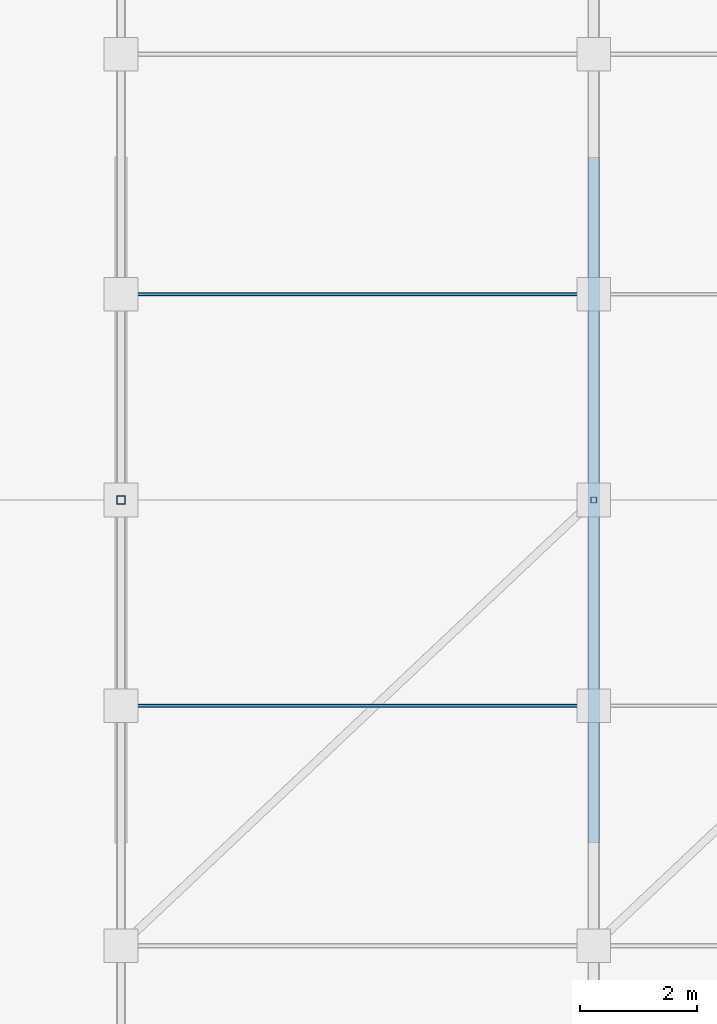
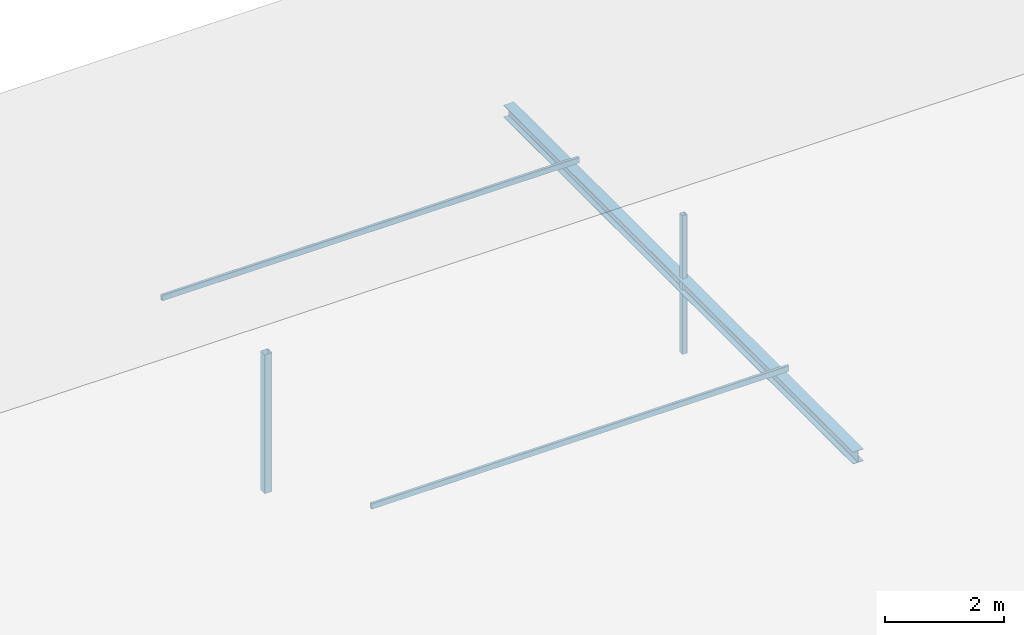
# One storey, part 16 of 54: 5 members.
"""IFC4 building model written with IfcOpenShell, lengths in metres."""

from ifc_helpers import new_model, si_unit, direction, frame, origin, origin_2d, place, context, subcontext, project, spatial, hollow_rectangle, i_section, extrude, material, material_profile, profile_set, type_object, element, save


model = new_model("IFC4")

# Units and contexts
model_context = context("Model", 3, precision=1e-05, world=origin(), true_north=direction((0.0, 1.0)))
body_context = subcontext(model_context, "Body", "Model", "MODEL_VIEW")
ifc_project = project(units=[si_unit("LENGTHUNIT", "METRE"), si_unit("AREAUNIT", "SQUARE_METRE"), si_unit("VOLUMEUNIT", "CUBIC_METRE"), si_unit("PLANEANGLEUNIT", "RADIAN"), si_unit("MASSUNIT", "GRAM", prefix="KILO")], contexts=[model_context])

# Site, building, storey
site_placement = place(None, origin())
site = spatial("IfcSite", under=ifc_project, at=site_placement, CompositionType="ELEMENT")
building_placement = place(site_placement, origin())
building = spatial("IfcBuilding", under=site, at=building_placement, Name="Parian Resonance Hall", CompositionType="ELEMENT")
storey_placement = place(building_placement, frame((0.0, 0.0, 15.0)))
storey = spatial("IfcBuildingStorey", under=building, at=storey_placement, Name="L03", CompositionType="ELEMENT", Elevation=15.0)

# Members
ifc_material_1 = material(Name="Hollow structural steel S355", Category="steel")
ifc_material_profile_1 = material_profile(ifc_material_1, hollow_rectangle(XDim=0.06005859375, YDim=0.1201171875, WallThickness=0.0048828125, InnerFilletRadius=0.0048828125, OuterFilletRadius=0.010009765625, at=origin_2d()), Name="RHS120x60x5")
ifc_profile_set_1 = profile_set([ifc_material_profile_1], Name="Hollow structural steel S355")
member_type_1 = type_object("IfcMemberType", Name="MEM-RHS120", PredefinedType="PURLIN", material=ifc_profile_set_1)
for number, where, z_axis, x_axis, name in (
    (1, (81.0, 8.625, 1.824951171875), (1.0, 0.0, 0.0), (0.0, 1.0, 0.0), "Rehearsal roof purlin S2.1"),
    (2, (81.0, 15.675048828125, 1.824951171875), (1.0, 0.0, 0.0), (0.0, 1.0, 0.0), "Rehearsal roof purlin N2.1"),
):
    element("IfcMember", number, at=place(storey_placement, frame(where, z_axis=z_axis, x_axis=x_axis)), inside=storey, type_object=member_type_1, Name=name, PredefinedType="PURLIN", context=body_context, shape_type="SweptSolid", body=[
        extrude(hollow_rectangle(XDim=0.06005859375, YDim=0.1201171875, WallThickness=0.0048828125, InnerFilletRadius=0.0048828125, OuterFilletRadius=0.010009765625, at=origin_2d()), origin(), (0.0, 0.0, 1.0), 8.10009765625),
    ])
ifc_material_2 = material(Name="Hollow structural steel S355", Category="steel")
ifc_material_profile_2 = material_profile(ifc_material_2, hollow_rectangle(XDim=0.10009765625, YDim=0.10009765625, WallThickness=0.00634765625, InnerFilletRadius=0.00634765625, OuterFilletRadius=0.0126953125, at=origin_2d()), Name="SHS100x100x6.3")
ifc_profile_set_2 = profile_set([ifc_material_profile_2], Name="Hollow structural steel S355")
member_type_2 = type_object("IfcMemberType", Name="MEM-SHS100", PredefinedType="POST", material=ifc_profile_set_2)
member_1_placement = place(storey_placement, frame((89.10009765625, 12.14990234375, 0.0), z_axis=(0.0, 0.0, 1.0), x_axis=(1.0, 0.0, 0.0)))
element("IfcMember", 3, at=member_1_placement, inside=storey, type_object=member_type_2, Name="Rehearsal roof king post 2", PredefinedType="POST", context=body_context, shape_type="SweptSolid", body=[
    extrude(hollow_rectangle(XDim=0.10009765625, YDim=0.10009765625, WallThickness=0.00634765625, InnerFilletRadius=0.00634765625, OuterFilletRadius=0.0126953125, at=origin_2d()), origin(), (0.0, 0.0, 1.0), 2.85009765625),
])
ifc_material_3 = material(Name="Hollow structural steel S355", Category="steel")
ifc_material_profile_3 = material_profile(ifc_material_3, hollow_rectangle(XDim=0.14990234375, YDim=0.14990234375, WallThickness=0.008056640625, InnerFilletRadius=0.008056640625, OuterFilletRadius=0.01611328125, at=origin_2d()), Name="SHS150x150x8")
ifc_profile_set_3 = profile_set([ifc_material_profile_3], Name="Hollow structural steel S355")
member_type_3 = type_object("IfcMemberType", Name="MEM-SHS150", PredefinedType="POST", material=ifc_profile_set_3)
member_2_placement = place(storey_placement, frame((81.0, 12.14990234375, 0.0), z_axis=(0.0, 0.0, 1.0), x_axis=(1.0, 0.0, 0.0)))
element("IfcMember", 4, at=member_2_placement, inside=storey, type_object=member_type_3, Name="Rehearsal roof king post 1", PredefinedType="POST", context=body_context, shape_type="SweptSolid", body=[
    extrude(hollow_rectangle(XDim=0.14990234375, YDim=0.14990234375, WallThickness=0.008056640625, InnerFilletRadius=0.008056640625, OuterFilletRadius=0.01611328125, at=origin_2d()), origin(), (0.0, 0.0, 1.0), 2.85009765625),
])
ifc_material_4 = material(Name="Steel S355", Category="steel")
ifc_material_profile_4 = material_profile(ifc_material_4, i_section(OverallWidth=0.202880859375, OverallDepth=0.251953125, WebThickness=0.008056640625, FlangeThickness=0.013427734375, FilletRadius=0.0126953125, at=origin_2d()), Name="W250x58")
ifc_profile_set_4 = profile_set([ifc_material_profile_4], Name="Steel S355")
member_type_4 = type_object("IfcMemberType", Name="MEM-W250-CHORD", PredefinedType="CHORD", material=ifc_profile_set_4)
member_3_placement = place(storey_placement, frame((89.10009765625, 6.27490234375, 1.425048828125), z_axis=(0.0, 1.0, 0.0), x_axis=(-1.0, 0.0, 0.0)))
element("IfcMember", 5, at=member_3_placement, inside=storey, type_object=member_type_4, Name="Rehearsal roof collar chord 2", PredefinedType="CHORD", context=body_context, shape_type="SweptSolid", body=[
    extrude(i_section(OverallWidth=0.202880859375, OverallDepth=0.251953125, WebThickness=0.008056640625, FlangeThickness=0.013427734375, FilletRadius=0.0126953125, at=origin_2d()), origin(), (0.0, 0.0, 1.0), 11.75),
])

save(model, "model.ifc")
